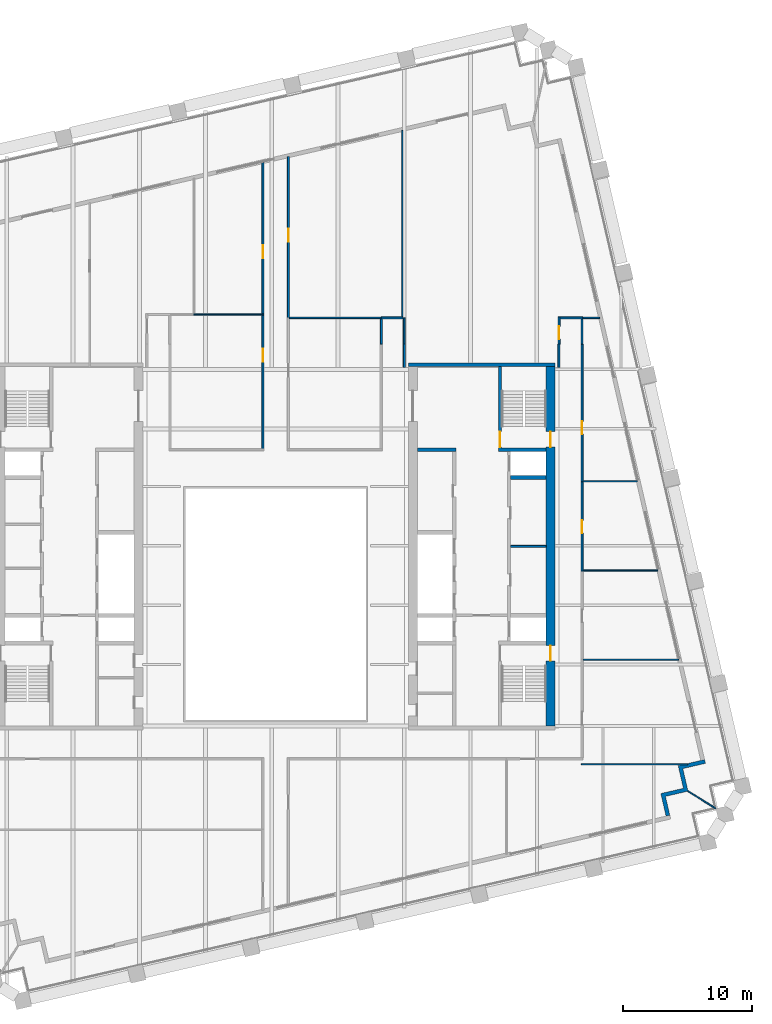
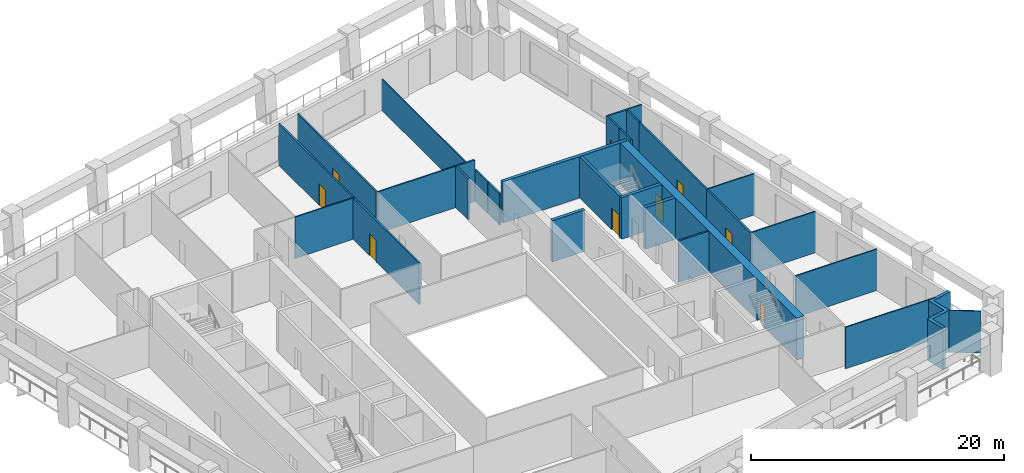
# One storey, part 7 of 10: 30 walls, 9 doors, 9 openings.
"""IFC4 building model written with IfcOpenShell, lengths in metres."""

from ifc_helpers import new_model, si_unit, direction, frame, frame_2d, origin, place, context, subcontext, project, spatial, polyline, rectangle, outline, extrude, material, layer, layer_set, type_object, element, fill, save


model = new_model("IFC4")

# Units and contexts
model_context = context("Model", 3, precision=1e-05, world=origin(), true_north=direction((0.0, 1.0)))
body_context = subcontext(model_context, "Body", "Model", "MODEL_VIEW")
ifc_project = project(units=[si_unit("LENGTHUNIT", "METRE"), si_unit("AREAUNIT", "SQUARE_METRE"), si_unit("VOLUMEUNIT", "CUBIC_METRE"), si_unit("PLANEANGLEUNIT", "RADIAN"), si_unit("MASSUNIT", "GRAM", prefix="KILO")], contexts=[model_context])

# Site, building, storey
site_placement = place(None, origin())
site = spatial("IfcSite", under=ifc_project, at=site_placement, CompositionType="ELEMENT")
building_placement = place(site_placement, origin())
building = spatial("IfcBuilding", under=site, at=building_placement, Name="Ogive Exchange Tower", CompositionType="ELEMENT")
storey_placement = place(building_placement, frame((0.0, 0.0, 196.800048828125)))
storey = spatial("IfcBuildingStorey", under=building, at=storey_placement, Name="L43", CompositionType="ELEMENT", Elevation=196.800048828125)

# Walls
ifc_material_1 = material(Name="Gypsum board partition")
ifc_layer_1 = layer(ifc_material_1, 0.14990234375)
ifc_layer_set_1 = layer_set([ifc_layer_1], Name="Core room partition 150 gypsum")
wall_type_1 = type_object("IfcWallType", Name="Core room partition 150 gypsum", PredefinedType="PARTITIONING", material=ifc_layer_set_1)
wall_1_placement = place(storey_placement, frame((18.25, 11.5, 0.0), z_axis=(0.0, 0.0, 1.0), x_axis=(1.0, 0.0, 0.0)))
element("IfcWall", 1, at=wall_1_placement, inside=storey, type_object=wall_type_1, Name="E row A bay partition 1-1", PredefinedType="PARTITIONING", context=body_context, shape_type="SweptSolid", body=[
    extrude(rectangle(XDim=2.75, YDim=0.14990234375, at=frame_2d((1.375, 0.0))), origin(), (0.0, 0.0, 1.0), 4.0),
])
ifc_layer_2 = layer(ifc_material_1, 0.300048828125)
ifc_layer_set_2 = layer_set([ifc_layer_2], Name="Core room partition 300 gypsum")
wall_type_2 = type_object("IfcWallType", Name="Core room partition 300 gypsum", PredefinedType="PARTITIONING", material=ifc_layer_set_2)
wall_2_placement = place(storey_placement, frame((11.0, 19.0, 0.0), z_axis=(0.0, 0.0, 1.0), x_axis=(1.0, 0.0, 0.0)))
element("IfcWall", 2, at=wall_2_placement, inside=storey, type_object=wall_type_2, Name="E row B room end wall 7", PredefinedType="PARTITIONING", context=body_context, shape_type="SweptSolid", body=[
    extrude(rectangle(XDim=3.0, YDim=0.300048828125, at=frame_2d((1.5, 0.0))), origin(), (0.0, 0.0, 1.0), 4.0),
])

# Wall, opening, door
ifc_material_2 = material(Name="Fire partition EI 60 150")
ifc_layer_3 = layer(ifc_material_2, 0.14990234375)
ifc_layer_set_3 = layer_set([ifc_layer_3], Name="Fire partition EI 60 150")
wall_type_3 = type_object("IfcWallType", Name="Fire partition EI 60 150", PredefinedType="PARTITIONING", material=ifc_layer_set_3)
wall_3_placement = place(storey_placement, frame((-0.989990234375, 19.074951171875, 0.0), z_axis=(0.0, 0.0, 1.0), x_axis=(0.0, 1.0, 0.0)))
wall_3 = element("IfcWall", 3, at=wall_3_placement, inside=storey, type_object=wall_type_3, Name="L43-PWL-027", PredefinedType="PARTITIONING", context=body_context, shape_type="SweptSolid", body=[
    extrude(rectangle(XDim=10.375, YDim=0.14990234375, at=frame_2d((5.1875, 0.0))), origin(), (0.0, 0.0, 1.0), 4.0),
])
opening_1_placement = place(wall_3_placement, frame((6.77490234375, 0.0, 0.0)))
opening_1 = element("IfcOpeningElement", 4, at=opening_1_placement, cuts=wall_3, Name="Opening L43-I02", PredefinedType="OPENING", context=body_context, shape_type="SweptSolid", body=[
    extrude(rectangle(XDim=1.0, YDim=2.10009765625, at=frame_2d((0.5, 1.050048828125))), frame((0.0, 0.0849609375, 0.0), z_axis=(0.0, -1.0, 0.0), x_axis=(1.0, 0.0, 0.0)), (0.0, 0.0, 1.0), 0.169921875),
])
ifc_material_3 = material(Name="Fire door FD 30S 1000 x 2100")
door_type_1 = type_object("IfcDoorType", Name="Fire door FD 30S 1000 x 2100", OperationType="NOTDEFINED", PredefinedType="DOOR", material=ifc_material_3)
door_1_placement = place(opening_1_placement, origin())
door_1 = element("IfcDoor", 5, at=door_1_placement, inside=storey, type_object=door_type_1, Name="L43-IDR-002", ObjectType="DT3", OperationType="SINGLE_SWING_LEFT", OverallHeight=2.10009765625, OverallWidth=1.0, PredefinedType="DOOR", context=body_context, shape_type="SweptSolid", body=[
    extrude(rectangle(XDim=1.0, YDim=2.10009765625, at=frame_2d((0.5, 1.050048828125))), frame((0.0, 0.02490234375, 0.0), z_axis=(0.0, -1.0, 0.0), x_axis=(1.0, 0.0, 0.0)), (0.0, 0.0, 1.0), 0.050048828125),
])
fill(opening_1, door_1)

wall_4_placement = place(storey_placement, frame((-0.989990234375, 29.550048828125, 0.0), z_axis=(0.0, 0.0, 1.0), x_axis=(0.0, 1.0, 0.0)))
wall_4 = element("IfcWall", 6, at=wall_4_placement, inside=storey, type_object=wall_type_3, Name="L43-PWL-028", PredefinedType="PARTITIONING", context=body_context, shape_type="SweptSolid", body=[
    extrude(rectangle(XDim=11.745849609375, YDim=0.14990234375, at=frame_2d((5.873046875, 0.0))), origin(), (0.0, 0.0, 1.0), 4.0),
])
opening_2_placement = place(wall_4_placement, frame((4.320068359375, 0.0, 0.0)))
opening_2 = element("IfcOpeningElement", 7, at=opening_2_placement, cuts=wall_4, Name="Opening L43-I04", PredefinedType="OPENING", context=body_context, shape_type="SweptSolid", body=[
    extrude(rectangle(XDim=1.0, YDim=2.10009765625, at=frame_2d((0.5, 1.050048828125))), frame((0.0, 0.0849609375, 0.0), z_axis=(0.0, -1.0, 0.0), x_axis=(1.0, 0.0, 0.0)), (0.0, 0.0, 1.0), 0.169921875),
])
door_2_placement = place(opening_2_placement, origin())
door_2 = element("IfcDoor", 8, at=door_2_placement, inside=storey, type_object=door_type_1, Name="L43-IDR-004", ObjectType="DT3", OperationType="SINGLE_SWING_RIGHT", OverallHeight=2.10009765625, OverallWidth=1.0, PredefinedType="DOOR", context=body_context, shape_type="SweptSolid", body=[
    extrude(rectangle(XDim=1.0, YDim=2.10009765625, at=frame_2d((0.5, 1.050048828125))), frame((0.0, 0.02490234375, 0.0), z_axis=(0.0, -1.0, 0.0), x_axis=(1.0, 0.0, 0.0)), (0.0, 0.0, 1.0), 0.050048828125),
])
fill(opening_2, door_2)

wall_5_placement = place(storey_placement, frame((0.989990234375, 41.7529296875, 0.0), z_axis=(0.0, 0.0, 1.0), x_axis=(0.0, -1.0, 0.0)))
wall_5 = element("IfcWall", 9, at=wall_5_placement, inside=storey, type_object=wall_type_3, Name="L43-PWL-033", PredefinedType="PARTITIONING", context=body_context, shape_type="SweptSolid", body=[
    extrude(rectangle(XDim=12.512939453125, YDim=0.14990234375, at=frame_2d((6.25634765625, 0.0))), origin(), (0.0, 0.0, 1.0), 4.0),
])
opening_3_placement = place(wall_5_placement, frame((5.613037109375, 0.0, 0.0)))
opening_3 = element("IfcOpeningElement", 10, at=opening_3_placement, cuts=wall_5, Name="Opening L43-I16", PredefinedType="OPENING", context=body_context, shape_type="SweptSolid", body=[
    extrude(rectangle(XDim=1.0, YDim=2.10009765625, at=frame_2d((0.5, 1.050048828125))), frame((0.0, 0.0849609375, 0.0), z_axis=(0.0, -1.0, 0.0), x_axis=(1.0, 0.0, 0.0)), (0.0, 0.0, 1.0), 0.169921875),
])
door_3_placement = place(opening_3_placement, origin())
door_3 = element("IfcDoor", 11, at=door_3_placement, inside=storey, type_object=door_type_1, Name="L43-IDR-016", ObjectType="DT3", OperationType="SINGLE_SWING_LEFT", OverallHeight=2.10009765625, OverallWidth=1.0, PredefinedType="DOOR", context=body_context, shape_type="SweptSolid", body=[
    extrude(rectangle(XDim=1.0, YDim=2.10009765625, at=frame_2d((0.5, 1.050048828125))), frame((0.0, 0.02490234375, 0.0), z_axis=(0.0, -1.0, 0.0), x_axis=(1.0, 0.0, 0.0)), (0.0, 0.0, 1.0), 0.050048828125),
])
fill(opening_3, door_3)

# Walls
wall_6_placement = place(storey_placement, frame((8.2099609375, 27.199951171875, 0.0), z_axis=(0.0, 0.0, 1.0), x_axis=(0.0, 1.0, 0.0)))
element("IfcWall", 12, at=wall_6_placement, inside=storey, type_object=wall_type_3, Name="L43-PWL-035", PredefinedType="PARTITIONING", context=body_context, shape_type="SweptSolid", body=[
    extrude(rectangle(XDim=1.989990234375, YDim=0.14990234375, at=frame_2d((0.9951171875, 0.0))), origin(), (0.0, 0.0, 1.0), 4.0),
])
wall_7_placement = place(storey_placement, frame((8.2099609375, 29.239990234375, 0.0), z_axis=(0.0, 0.0, 1.0), x_axis=(1.0, 0.0, 0.0)))
element("IfcWall", 13, at=wall_7_placement, inside=storey, type_object=wall_type_3, Name="L43-PWL-036", PredefinedType="PARTITIONING", context=body_context, shape_type="SweptSolid", body=[
    extrude(rectangle(XDim=1.669921875, YDim=0.14990234375, at=frame_2d((0.8349609375, 0.0))), origin(), (0.0, 0.0, 1.0), 4.0),
])
wall_8_placement = place(storey_placement, frame((9.989990234375, 29.239990234375, 0.0), z_axis=(0.0, 0.0, 1.0), x_axis=(0.0, -1.0, 0.0)))
element("IfcWall", 14, at=wall_8_placement, inside=storey, type_object=wall_type_3, Name="L43-PWL-038", PredefinedType="PARTITIONING", context=body_context, shape_type="SweptSolid", body=[
    extrude(rectangle(XDim=2.0400390625, YDim=0.14990234375, at=frame_2d((1.02001953125, 0.0))), origin(), (0.0, 0.0, 1.0), 3.02001953125),
])
wall_9_placement = place(storey_placement, frame((10.0, 27.199951171875, 0.0), z_axis=(0.0, 0.0, 1.0), x_axis=(0.0, -1.0, 0.0)))
element("IfcWall", 15, at=wall_9_placement, inside=storey, type_object=wall_type_3, Name="L43-PWL-040", PredefinedType="PARTITIONING", context=body_context, shape_type="SweptSolid", body=[
    extrude(rectangle(XDim=1.81005859375, YDim=0.14990234375, at=frame_2d((0.905029296875, 0.0))), origin(), (0.0, 0.0, 1.0), 3.02001953125),
])
wall_10_placement = place(storey_placement, frame((22.0, 25.389892578125, 0.0), z_axis=(0.0, 0.0, 1.0), x_axis=(0.0, 1.0, 0.0)))
element("IfcWall", 16, at=wall_10_placement, inside=storey, type_object=wall_type_3, Name="L43-PWL-043", PredefinedType="PARTITIONING", context=body_context, shape_type="SweptSolid", body=[
    extrude(rectangle(XDim=1.81005859375, YDim=0.14990234375, at=frame_2d((0.905029296875, 0.0))), origin(), (0.0, 0.0, 1.0), 4.0),
])

# Wall, opening, door
wall_11_placement = place(storey_placement, frame((22.010009765625, 27.199951171875, 0.0), z_axis=(0.0, 0.0, 1.0), x_axis=(0.0, 1.0, 0.0)))
wall_11 = element("IfcWall", 17, at=wall_11_placement, inside=storey, type_object=wall_type_3, Name="L43-PWL-044", PredefinedType="PARTITIONING", context=body_context, shape_type="SweptSolid", body=[
    extrude(rectangle(XDim=2.114990234375, YDim=0.14990234375, at=frame_2d((1.0576171875, 0.0))), origin(), (0.0, 0.0, 1.0), 4.0),
])
opening_4_placement = place(wall_11_placement, frame((0.389892578125, 0.0, 0.0)))
opening_4 = element("IfcOpeningElement", 18, at=opening_4_placement, cuts=wall_11, Name="Opening L43-I17", PredefinedType="OPENING", context=body_context, shape_type="SweptSolid", body=[
    extrude(rectangle(XDim=1.0, YDim=2.10009765625, at=frame_2d((0.5, 1.050048828125))), frame((0.0, 0.0849609375, 0.0), z_axis=(0.0, -1.0, 0.0), x_axis=(1.0, 0.0, 0.0)), (0.0, 0.0, 1.0), 0.169921875),
])
door_4_placement = place(opening_4_placement, origin())
door_4 = element("IfcDoor", 19, at=door_4_placement, inside=storey, type_object=door_type_1, Name="L43-IDR-017", ObjectType="DT3", OperationType="SINGLE_SWING_LEFT", OverallHeight=2.10009765625, OverallWidth=1.0, PredefinedType="DOOR", context=body_context, shape_type="SweptSolid", body=[
    extrude(rectangle(XDim=1.0, YDim=2.10009765625, at=frame_2d((0.5, 1.050048828125))), frame((0.0, 0.02490234375, 0.0), z_axis=(0.0, -1.0, 0.0), x_axis=(1.0, 0.0, 0.0)), (0.0, 0.0, 1.0), 0.050048828125),
])
fill(opening_4, door_4)

# Walls
wall_12_placement = place(storey_placement, frame((22.0849609375, 29.239990234375, 0.0), z_axis=(0.0, 0.0, 1.0), x_axis=(1.0, 0.0, 0.0)))
element("IfcWall", 20, at=wall_12_placement, inside=storey, type_object=wall_type_3, Name="L43-PWL-045", PredefinedType="PARTITIONING", context=body_context, shape_type="SweptSolid", body=[
    extrude(rectangle(XDim=1.780029296875, YDim=0.14990234375, at=frame_2d((0.89013671875, 0.0))), origin(), (0.0, 0.0, 1.0), 4.0),
])
wall_13_placement = place(storey_placement, frame((23.7900390625, 29.1650390625, 0.0), z_axis=(0.0, 0.0, 1.0), x_axis=(0.0, -1.0, 0.0)))
element("IfcWall", 21, at=wall_13_placement, inside=storey, type_object=wall_type_3, Name="L43-PWL-048", PredefinedType="PARTITIONING", context=body_context, shape_type="SweptSolid", body=[
    extrude(rectangle(XDim=1.965087890625, YDim=0.14990234375, at=frame_2d((0.982421875, 0.0))), origin(), (0.0, 0.0, 1.0), 4.0),
])

# Wall, opening, door
wall_14_placement = place(storey_placement, frame((23.800048828125, 16.5, 0.0), z_axis=(0.0, 0.0, 1.0), x_axis=(0.0, -1.0, 0.0)))
wall_14 = element("IfcWall", 22, at=wall_14_placement, inside=storey, type_object=wall_type_3, Name="L43-PWL-052", PredefinedType="PARTITIONING", context=body_context, shape_type="SweptSolid", body=[
    extrude(rectangle(XDim=6.929931640625, YDim=0.14990234375, at=frame_2d((3.46484375, 0.0))), origin(), (0.0, 0.0, 1.0), 4.0),
])
opening_5_placement = place(wall_14_placement, frame((2.97998046875, 0.0, 0.0)))
opening_5 = element("IfcOpeningElement", 23, at=opening_5_placement, cuts=wall_14, Name="Opening L43-I11", PredefinedType="OPENING", context=body_context, shape_type="SweptSolid", body=[
    extrude(rectangle(XDim=1.0, YDim=2.10009765625, at=frame_2d((0.5, 1.050048828125))), frame((0.0, 0.0849609375, 0.0), z_axis=(0.0, -1.0, 0.0), x_axis=(1.0, 0.0, 0.0)), (0.0, 0.0, 1.0), 0.169921875),
])
door_5_placement = place(opening_5_placement, origin())
door_5 = element("IfcDoor", 24, at=door_5_placement, inside=storey, type_object=door_type_1, Name="L43-IDR-011", ObjectType="DT3", OperationType="SINGLE_SWING_RIGHT", OverallHeight=2.10009765625, OverallWidth=1.0, PredefinedType="DOOR", context=body_context, shape_type="SweptSolid", body=[
    extrude(rectangle(XDim=1.0, YDim=2.10009765625, at=frame_2d((0.5, 1.050048828125))), frame((0.0, 0.02490234375, 0.0), z_axis=(0.0, -1.0, 0.0), x_axis=(1.0, 0.0, 0.0)), (0.0, 0.0, 1.0), 0.050048828125),
])
fill(opening_5, door_5)

wall_15_placement = place(storey_placement, frame((23.800048828125, 27.199951171875, 0.0), z_axis=(0.0, 0.0, 1.0), x_axis=(0.0, -1.0, 0.0)))
wall_15 = element("IfcWall", 25, at=wall_15_placement, inside=storey, type_object=wall_type_3, Name="L43-PWL-053", PredefinedType="PARTITIONING", context=body_context, shape_type="SweptSolid", body=[
    extrude(rectangle(XDim=10.699951171875, YDim=0.14990234375, at=frame_2d((5.35009765625, 0.0))), origin(), (0.0, 0.0, 1.0), 4.0),
])
opening_6_placement = place(wall_15_placement, frame((6.0, 0.0, 0.0)))
opening_6 = element("IfcOpeningElement", 26, at=opening_6_placement, cuts=wall_15, Name="Opening L43-I10", PredefinedType="OPENING", context=body_context, shape_type="SweptSolid", body=[
    extrude(rectangle(XDim=1.0, YDim=2.10009765625, at=frame_2d((0.5, 1.050048828125))), frame((0.0, 0.0849609375, 0.0), z_axis=(0.0, -1.0, 0.0), x_axis=(1.0, 0.0, 0.0)), (0.0, 0.0, 1.0), 0.169921875),
])
door_6_placement = place(opening_6_placement, origin())
door_6 = element("IfcDoor", 27, at=door_6_placement, inside=storey, type_object=door_type_1, Name="L43-IDR-010", ObjectType="DT3", OperationType="SINGLE_SWING_LEFT", OverallHeight=2.10009765625, OverallWidth=1.0, PredefinedType="DOOR", context=body_context, shape_type="SweptSolid", body=[
    extrude(rectangle(XDim=1.0, YDim=2.10009765625, at=frame_2d((0.5, 1.050048828125))), frame((0.0, 0.02490234375, 0.0), z_axis=(0.0, -1.0, 0.0), x_axis=(1.0, 0.0, 0.0)), (0.0, 0.0, 1.0), 0.050048828125),
])
fill(opening_6, door_6)

# Walls
ifc_material_4 = material(Name="Precast concrete C40/50", Category="concrete")
ifc_layer_4 = layer(ifc_material_4, 0.300048828125)
ifc_layer_set_4 = layer_set([ifc_layer_4], Name="Limestone-faced wall 300")
wall_type_4 = type_object("IfcWallType", Name="Limestone-faced wall 300", PredefinedType="STANDARD", material=ifc_layer_set_4)
wall_16_placement = place(storey_placement, origin())
element("IfcWall", 28, at=wall_16_placement, inside=storey, type_object=wall_type_4, Name="External corner wall C1", PredefinedType="STANDARD", context=body_context, shape_type="SweptSolid", body=[
    extrude(outline(polyline([(31.662109375, -7.28466796875), (31.257080078125, -5.53076171875), (33.30322265625, -5.058349609375), (33.370849609375, -5.3505859375), (31.616943359375, -5.755615234375), (32.02197265625, -7.509521484375), (30.26806640625, -7.914306640625), (30.60546875, -9.3759765625), (30.31298828125, -9.443359375), (29.908203125, -7.689697265625), (31.662109375, -7.28466796875)])), origin(), (0.0, 0.0, 1.0), 4.0),
])
ifc_material_5 = material(Name="Laminated safety glass in steel frame", Category="steel")
ifc_layer_5 = layer(ifc_material_5, 0.10009765625)
ifc_layer_set_5 = layer_set([ifc_layer_5], Name="Loggia end screen 100")
wall_type_5 = type_object("IfcWallType", Name="Loggia end screen 100", PredefinedType="STANDARD", material=ifc_layer_set_5)
wall_17_placement = place(storey_placement, frame((32.02197265625, -7.509521484375, -0.050048828125), z_axis=(0.0, 0.0, 1.0), x_axis=(0.848047176257, -0.529920736377, 0.0)))
element("IfcWall", 29, at=wall_17_placement, inside=storey, type_object=wall_type_5, Name="Loggia end screen C1", PredefinedType="STANDARD", context=body_context, shape_type="SweptSolid", body=[
    extrude(rectangle(XDim=2.525634765625, YDim=0.10009765625, at=frame_2d((1.2626953125, 0.0))), origin(), (0.0, 0.0, 1.0), 4.050048828125),
])
ifc_material_6 = material(Name="Partition 100 gypsum")
ifc_layer_6 = layer(ifc_material_6, 0.10009765625)
ifc_layer_set_6 = layer_set([ifc_layer_6], Name="Partition 100 gypsum")
wall_type_6 = type_object("IfcWallType", Name="Partition 100 gypsum", PredefinedType="PARTITIONING", material=ifc_layer_set_6)
wall_18_placement = place(storey_placement, frame((-6.389892578125, 29.5, 0.0), z_axis=(0.0, 0.0, 1.0), x_axis=(1.0, 0.0, 0.0)))
element("IfcWall", 30, at=wall_18_placement, inside=storey, type_object=wall_type_6, Name="L43-PWL-021", PredefinedType="PARTITIONING", context=body_context, shape_type="SweptSolid", body=[
    extrude(rectangle(XDim=5.474853515625, YDim=0.10009765625, at=frame_2d((2.7373046875, 0.0))), origin(), (0.0, 0.0, 1.0), 4.0),
])
wall_19_placement = place(storey_placement, frame((1.06494140625, 29.239990234375, 0.0), z_axis=(0.0, 0.0, 1.0), x_axis=(1.0, 0.0, 0.0)))
element("IfcWall", 31, at=wall_19_placement, inside=storey, type_object=wall_type_6, Name="L43-PWL-032", PredefinedType="PARTITIONING", context=body_context, shape_type="SweptSolid", body=[
    extrude(rectangle(XDim=7.14501953125, YDim=0.10009765625, at=frame_2d((3.572509765625, 0.0))), origin(), (0.0, 0.0, 1.0), 4.0),
])
wall_20_placement = place(storey_placement, frame((9.830078125, 43.7939453125, 0.0), z_axis=(0.0, 0.0, 1.0), x_axis=(0.0, -1.0, 0.0)))
element("IfcWall", 32, at=wall_20_placement, inside=storey, type_object=wall_type_6, Name="L43-PWL-037", PredefinedType="PARTITIONING", context=body_context, shape_type="SweptSolid", body=[
    extrude(rectangle(XDim=14.47900390625, YDim=0.10009765625, at=frame_2d((7.239501953125, 0.0))), origin(), (0.0, 0.0, 1.0), 3.02001953125),
])
wall_21_placement = place(storey_placement, frame((23.739990234375, -5.419921875, 0.0), z_axis=(0.0, 0.0, 1.0), x_axis=(1.0, 0.0, 0.0)))
element("IfcWall", 33, at=wall_21_placement, inside=storey, type_object=wall_type_6, Name="L43-PWL-046", PredefinedType="PARTITIONING", context=body_context, shape_type="SweptSolid", body=[
    extrude(rectangle(XDim=8.241943359375, YDim=0.10009765625, at=frame_2d((4.12109375, 0.0))), origin(), (0.0, 0.0, 1.0), 4.0),
])
wall_22_placement = place(storey_placement, frame((23.864990234375, 29.239990234375, 0.0), z_axis=(0.0, 0.0, 1.0), x_axis=(1.0, 0.0, 0.0)))
element("IfcWall", 34, at=wall_22_placement, inside=storey, type_object=wall_type_6, Name="L43-PWL-049", PredefinedType="PARTITIONING", context=body_context, shape_type="SweptSolid", body=[
    extrude(rectangle(XDim=1.294921875, YDim=0.10009765625, at=frame_2d((0.6474609375, 0.0))), origin(), (0.0, 0.0, 1.0), 4.0),
])
wall_23_placement = place(storey_placement, frame((28.089111328125, 16.550048828125, 0.0), z_axis=(0.0, 0.0, 1.0), x_axis=(-1.0, 0.0, 0.0)))
element("IfcWall", 35, at=wall_23_placement, inside=storey, type_object=wall_type_6, Name="L43-PWL-054", PredefinedType="PARTITIONING", context=body_context, shape_type="SweptSolid", body=[
    extrude(rectangle(XDim=4.214111328125, YDim=0.10009765625, at=frame_2d((2.10693359375, 0.0))), origin(), (0.0, 0.0, 1.0), 4.0),
])
wall_24_placement = place(storey_placement, frame((29.68896484375, 9.6201171875, 0.0), z_axis=(0.0, 0.0, 1.0), x_axis=(-1.0, 0.0, 0.0)))
element("IfcWall", 36, at=wall_24_placement, inside=storey, type_object=wall_type_6, Name="L43-PWL-055", PredefinedType="PARTITIONING", context=body_context, shape_type="SweptSolid", body=[
    extrude(rectangle(XDim=5.81396484375, YDim=0.10009765625, at=frame_2d((2.906982421875, 0.0))), origin(), (0.0, 0.0, 1.0), 4.0),
])
wall_25_placement = place(storey_placement, frame((31.2890625, 2.68994140625, 0.0), z_axis=(0.0, 0.0, 1.0), x_axis=(-1.0, 0.0, 0.0)))
element("IfcWall", 37, at=wall_25_placement, inside=storey, type_object=wall_type_6, Name="L43-PWL-056", PredefinedType="PARTITIONING", context=body_context, shape_type="SweptSolid", body=[
    extrude(rectangle(XDim=7.4140625, YDim=0.10009765625, at=frame_2d((3.70703125, 0.0))), origin(), (0.0, 0.0, 1.0), 4.0),
])

# Wall, opening, door
ifc_material_7 = material(Name="Concrete C70/85", Category="concrete")
ifc_layer_7 = layer(ifc_material_7, 0.25)
ifc_layer_set_7 = layer_set([ifc_layer_7], Name="RC core wall 250 C70/85")
wall_type_7 = type_object("IfcWallType", Name="RC core wall 250 C70/85", PredefinedType="SHEAR", material=ifc_layer_set_7)
wall_26_placement = place(storey_placement, frame((17.425048828125, 19.14990234375, 0.0), z_axis=(0.0, 0.0, 1.0), x_axis=(0.0, 1.0, 0.0)))
wall_26 = element("IfcWall", 38, at=wall_26_placement, inside=storey, type_object=wall_type_7, Name="E stair N front wall", PredefinedType="SHEAR", context=body_context, shape_type="SweptSolid", body=[
    extrude(rectangle(XDim=6.300048828125, YDim=0.25, at=frame_2d((3.14990234375, 0.0))), origin(), (0.0, 0.0, 1.0), 4.0),
])
opening_7_placement = place(wall_26_placement, frame((0.050048828125, 0.0, 0.0)))
opening_7 = element("IfcOpeningElement", 39, at=opening_7_placement, cuts=wall_26, Name="Opening L43-C32", PredefinedType="OPENING", context=body_context, shape_type="SweptSolid", body=[
    extrude(rectangle(XDim=1.199951171875, YDim=2.10009765625, at=frame_2d((0.60009765625, 1.050048828125))), frame((0.0, 0.135009765625, 0.0), z_axis=(0.0, -1.0, 0.0), x_axis=(1.0, 0.0, 0.0)), (0.0, 0.0, 1.0), 0.27001953125),
])
ifc_material_8 = material(Name="Steel fire door", Category="steel")
door_type_2 = type_object("IfcDoorType", Name="Stair door FD90 1200 x 2100", OperationType="NOTDEFINED", PredefinedType="DOOR", material=ifc_material_8)
door_7_placement = place(opening_7_placement, frame((1.199951171875, 0.0, 0.0), z_axis=(0.0, 0.0, 1.0), x_axis=(-1.0, 0.0, 0.0)))
door_7 = element("IfcDoor", 40, at=door_7_placement, inside=storey, type_object=door_type_2, Name="Stair door", ObjectType="CD5", OperationType="SINGLE_SWING_LEFT", OverallHeight=2.10009765625, OverallWidth=1.199951171875, PredefinedType="DOOR", context=body_context, shape_type="SweptSolid", body=[
    extrude(rectangle(XDim=1.199951171875, YDim=2.10009765625, at=frame_2d((0.60009765625, 1.050048828125))), frame((0.0, 0.02490234375, 0.0), z_axis=(0.0, -1.0, 0.0), x_axis=(1.0, 0.0, 0.0)), (0.0, 0.0, 1.0), 0.050048828125),
])
fill(opening_7, door_7)

# Walls
ifc_layer_8 = layer(ifc_material_7, 0.300048828125)
ifc_layer_set_8 = layer_set([ifc_layer_8], Name="RC core wall 300 C70/85")
wall_type_8 = type_object("IfcWallType", Name="RC core wall 300 C70/85", PredefinedType="SHEAR", material=ifc_layer_set_8)
wall_27_placement = place(storey_placement, frame((10.300048828125, 25.60009765625, 0.0), z_axis=(0.0, 0.0, 1.0), x_axis=(1.0, 0.0, 0.0)))
element("IfcWall", 41, at=wall_27_placement, inside=storey, type_object=wall_type_8, Name="E north end wall", PredefinedType="SHEAR", context=body_context, shape_type="SweptSolid", body=[
    extrude(rectangle(XDim=11.39990234375, YDim=0.300048828125, at=frame_2d((5.699951171875, 0.0))), origin(), (0.0, 0.0, 1.0), 4.0),
])
wall_28_placement = place(storey_placement, frame((17.300048828125, 19.0, 0.0), z_axis=(0.0, 0.0, 1.0), x_axis=(1.0, 0.0, 0.0)))
element("IfcWall", 42, at=wall_28_placement, inside=storey, type_object=wall_type_8, Name="E stair N south wall", PredefinedType="SHEAR", context=body_context, shape_type="SweptSolid", body=[
    extrude(rectangle(XDim=3.699951171875, YDim=0.300048828125, at=frame_2d((1.85009765625, 0.0))), origin(), (0.0, 0.0, 1.0), 4.0),
])
wall_29_placement = place(storey_placement, frame((18.25, 16.857177734375, 0.0), z_axis=(0.0, 0.0, 1.0), x_axis=(1.0, 0.0, 0.0)))
element("IfcWall", 43, at=wall_29_placement, inside=storey, type_object=wall_type_8, Name="E row A divider 6", PredefinedType="SHEAR", context=body_context, shape_type="SweptSolid", body=[
    extrude(rectangle(XDim=2.75, YDim=0.300048828125, at=frame_2d((1.375, 0.0))), origin(), (0.0, 0.0, 1.0), 4.0),
])

# Wall, openings, doors
ifc_layer_9 = layer(ifc_material_7, 0.699951171875)
ifc_layer_set_9 = layer_set([ifc_layer_9], Name="RC core wall 700 C70/85")
wall_type_9 = type_object("IfcWallType", Name="RC core wall 700 C70/85", PredefinedType="SHEAR", material=ifc_layer_set_9)
wall_30_placement = place(storey_placement, frame((21.35009765625, -2.449951171875, 0.0), z_axis=(0.0, 0.0, 1.0), x_axis=(0.0, 1.0, 0.0)))
wall_30 = element("IfcWall", 44, at=wall_30_placement, inside=storey, type_object=wall_type_9, Name="E outer wall", PredefinedType="SHEAR", context=body_context, shape_type="SweptSolid", body=[
    extrude(rectangle(XDim=27.89990234375, YDim=0.699951171875, at=frame_2d((13.949951171875, 0.0))), origin(), (0.0, 0.0, 1.0), 4.0),
])
opening_8_placement = place(wall_30_placement, frame((5.050048828125, 0.0, 0.0)))
opening_8 = element("IfcOpeningElement", 45, at=opening_8_placement, cuts=wall_30, Name="Opening L43-C31", PredefinedType="OPENING", context=body_context, shape_type="SweptSolid", body=[
    extrude(rectangle(XDim=1.199951171875, YDim=2.10009765625, at=frame_2d((0.60009765625, 1.050048828125))), frame((0.0, 0.35986328125, 0.0), z_axis=(0.0, -1.0, 0.0), x_axis=(1.0, 0.0, 0.0)), (0.0, 0.0, 1.0), 0.719970703125),
])
opening_9_placement = place(wall_30_placement, frame((21.64990234375, 0.0, 0.0)))
opening_9 = element("IfcOpeningElement", 46, at=opening_9_placement, cuts=wall_30, Name="Opening L43-C33", PredefinedType="OPENING", context=body_context, shape_type="SweptSolid", body=[
    extrude(rectangle(XDim=1.199951171875, YDim=2.10009765625, at=frame_2d((0.60009765625, 1.050048828125))), frame((0.0, 0.35986328125, 0.0), z_axis=(0.0, -1.0, 0.0), x_axis=(1.0, 0.0, 0.0)), (0.0, 0.0, 1.0), 0.719970703125),
])
door_8_placement = place(opening_8_placement, origin())
door_8 = element("IfcDoor", 47, at=door_8_placement, inside=storey, type_object=door_type_2, Name="Stair door", ObjectType="CD5", OperationType="SINGLE_SWING_LEFT", OverallHeight=2.10009765625, OverallWidth=1.199951171875, PredefinedType="DOOR", context=body_context, shape_type="SweptSolid", body=[
    extrude(rectangle(XDim=1.199951171875, YDim=2.10009765625, at=frame_2d((0.60009765625, 1.050048828125))), frame((0.0, 0.02490234375, 0.0), z_axis=(0.0, -1.0, 0.0), x_axis=(1.0, 0.0, 0.0)), (0.0, 0.0, 1.0), 0.050048828125),
])
fill(opening_8, door_8)
door_9_placement = place(opening_9_placement, origin())
door_9 = element("IfcDoor", 48, at=door_9_placement, inside=storey, type_object=door_type_2, Name="Stair door", ObjectType="CD5", OperationType="SINGLE_SWING_RIGHT", OverallHeight=2.10009765625, OverallWidth=1.199951171875, PredefinedType="DOOR", context=body_context, shape_type="SweptSolid", body=[
    extrude(rectangle(XDim=1.199951171875, YDim=2.10009765625, at=frame_2d((0.60009765625, 1.050048828125))), frame((0.0, 0.02490234375, 0.0), z_axis=(0.0, -1.0, 0.0), x_axis=(1.0, 0.0, 0.0)), (0.0, 0.0, 1.0), 0.050048828125),
])
fill(opening_9, door_9)

save(model, "model.ifc")
